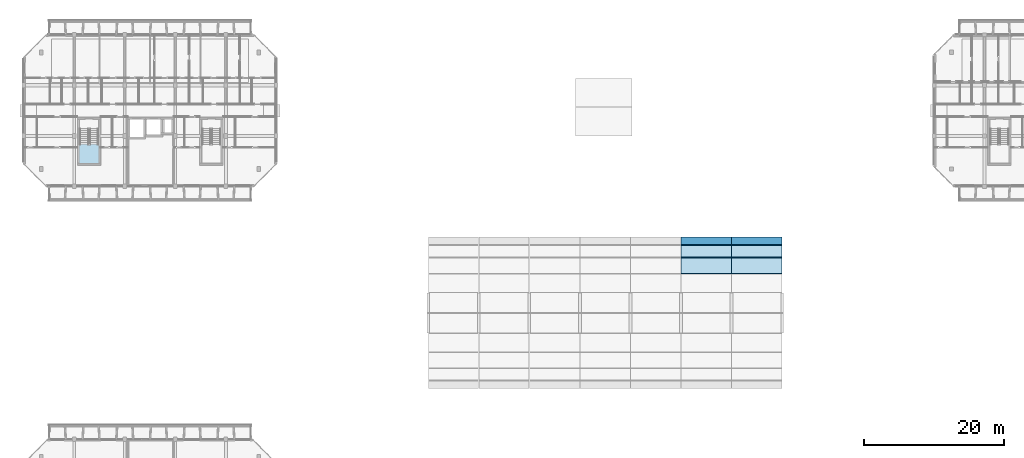
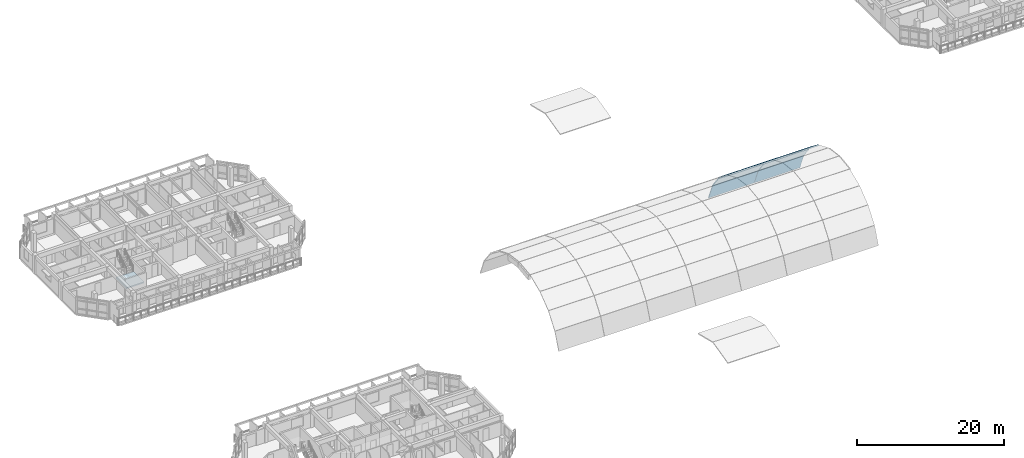
# One storey, part 15 of 51: 7 slabs, 3 elements without a shape of their own.
"""IFC4 building model written with IfcOpenShell, lengths in metres."""

from ifc_helpers import new_model, si_unit, direction, frame, origin, place, context, subcontext, project, spatial, polyline, outline, extrude, material, layer, layer_set, type_object, element, aggregate, save


model = new_model("IFC4")

# Units and contexts
model_context = context("Model", 3, precision=1e-05, world=origin(), true_north=direction((0.0, 1.0)))
body_context = subcontext(model_context, "Body", "Model", "MODEL_VIEW")
ifc_project = project(units=[si_unit("LENGTHUNIT", "METRE"), si_unit("AREAUNIT", "SQUARE_METRE"), si_unit("VOLUMEUNIT", "CUBIC_METRE"), si_unit("PLANEANGLEUNIT", "RADIAN"), si_unit("MASSUNIT", "GRAM", prefix="KILO")], contexts=[model_context])

# Site, building, storey
site_placement = place(None, origin())
site = spatial("IfcSite", under=ifc_project, at=site_placement, CompositionType="ELEMENT")
building_placement = place(site_placement, origin())
building = spatial("IfcBuilding", under=site, at=building_placement, Name="Ochrevale Crest", CompositionType="ELEMENT")
storey_placement = place(building_placement, frame((0.0, 0.0, 11.85009765625)))
storey = spatial("IfcBuildingStorey", under=building, at=storey_placement, Name="L03", CompositionType="ELEMENT", Elevation=11.85009765625)

# Stair, slab
ifc_material = material(Name="Precast concrete C40/50", Category="concrete")
stair_type = type_object("IfcStairType", Name="ST-CORE-DOG", PredefinedType="HALF_TURN_STAIR", material=ifc_material)
stair_placement = place(storey_placement, origin())
stair = element("IfcStair", 1, at=stair_placement, inside=storey, type_object=stair_type, Name="L03 Block B Fire Stair 1", PredefinedType="HALF_TURN_STAIR")
ifc_layer_1 = layer(ifc_material, 0.199951171875)
ifc_layer_set_1 = layer_set([ifc_layer_1], Name="Precast concrete C40/50")
slab_type_1 = type_object("IfcSlabType", Name="SLB-ST-LAND", PredefinedType="LANDING", material=ifc_layer_set_1)
slab_1_placement = place(storey_placement, frame((0.0, 0.0, 1.375)))
slab_1 = element("IfcSlab", 2, at=slab_1_placement, type_object=slab_type_1, Name="ST-B1 landing 1", PredefinedType="LANDING", context=body_context, shape_type="SweptSolid", body=[
    extrude(outline(polyline([(7.919921875, 78.06494140625), (7.919921875, 75.195068359375), (10.72998046875, 75.195068359375), (10.72998046875, 78.06494140625), (7.919921875, 78.06494140625)])), origin(), (0.0, 0.0, 1.0), 0.199951171875),
])
aggregate(stair, [slab_1])

# Roof, slabs
ifc_layer_2 = layer(ifc_material, 0.135009765625)
ifc_layer_set_2 = layer_set([ifc_layer_2], Name="Precast concrete C40/50")
roof_type = type_object("IfcRoofType", Name="ROOF-BARREL-HALL", PredefinedType="BARREL_ROOF", material=ifc_layer_set_2)
roof_1_placement = place(storey_placement, origin())
roof_1 = element("IfcRoof", 3, at=roof_1_placement, inside=storey, type_object=roof_type, Name="Community hall barrel vault bay V6", PredefinedType="BARREL_ROOF")
ifc_layer_3 = layer(ifc_material, 0.135009765625)
ifc_layer_set_3 = layer_set([ifc_layer_3], Name="Precast concrete C40/50")
slab_type_2 = type_object("IfcSlabType", Name="SLB-VAULT-135", PredefinedType="ROOF", material=ifc_layer_set_3)
slab_2_placement = place(storey_placement, frame((93.610107421875, 59.631103515625, -0.179443359375), z_axis=(0.0, 0.613940613515, 0.789352217376), x_axis=(1.0, 0.0, 0.0)))
slab_2 = element("IfcSlab", 4, at=slab_2_placement, type_object=slab_type_2, Name="Community hall barrel-vault precast roof facet B6-S08", PredefinedType="ROOF", context=body_context, shape_type="SweptSolid", body=[
    extrude(outline(polyline([(0.0, 0.0), (7.179931640625, 0.0), (7.179931640625, 2.914462085153314), (0.0, 2.914462085153314), (0.0, 0.0)])), origin(), (0.0, 0.0, -1.0), 0.135009765625),
])
slab_3_placement = place(storey_placement, frame((93.610107421875, 61.947998046875, -1.9853515625), z_axis=(0.0, 0.798912919198, 0.601446712135), x_axis=(1.0, 0.0, 0.0)))
slab_3 = element("IfcSlab", 5, at=slab_3_placement, type_object=slab_type_2, Name="Community hall barrel-vault precast roof facet B6-S09", PredefinedType="ROOF", context=body_context, shape_type="SweptSolid", body=[
    extrude(outline(polyline([(0.0, 0.0), (7.179931640625, 0.0), (7.179931640625, 2.914116099583117), (0.0, 2.914116099583117), (0.0, 0.0)])), origin(), (0.0, 0.0, -1.0), 0.135009765625),
])
slab_4_placement = place(storey_placement, frame((93.610107421875, 63.712158203125, -4.333740234375), z_axis=(0.0, 0.928326408732, 0.371766161519), x_axis=(1.0, 0.0, 0.0)))
slab_4 = element("IfcSlab", 6, at=slab_4_placement, type_object=slab_type_2, Name="Community hall barrel-vault precast roof facet B6-S10", PredefinedType="ROOF", context=body_context, shape_type="SweptSolid", body=[
    extrude(outline(polyline([(0.0, 0.0), (7.179931640625, 0.0), (7.179931640625, 2.9144559292945313), (0.0, 2.9144559292945313), (0.0, 0.0)])), origin(), (0.0, 0.0, -1.0), 0.135009765625),
])
aggregate(roof_1, [slab_2, slab_3, slab_4])

roof_2_placement = place(storey_placement, origin())
roof_2 = element("IfcRoof", 7, at=roof_2_placement, inside=storey, type_object=roof_type, Name="Community hall barrel vault bay V7", PredefinedType="BARREL_ROOF")
slab_5_placement = place(storey_placement, frame((100.81005859375, 59.631103515625, -0.179443359375), z_axis=(0.0, 0.613940613515, 0.789352217376), x_axis=(1.0, 0.0, 0.0)))
slab_5 = element("IfcSlab", 8, at=slab_5_placement, type_object=slab_type_2, Name="Community hall barrel-vault precast roof facet B7-S08", PredefinedType="ROOF", context=body_context, shape_type="SweptSolid", body=[
    extrude(outline(polyline([(0.0, 0.0), (7.179931640625, 0.0), (7.179931640625, 2.914462085153314), (0.0, 2.914462085153314), (0.0, 0.0)])), origin(), (0.0, 0.0, -1.0), 0.135009765625),
])
slab_6_placement = place(storey_placement, frame((100.81005859375, 61.947998046875, -1.9853515625), z_axis=(0.0, 0.798912919198, 0.601446712135), x_axis=(1.0, 0.0, 0.0)))
slab_6 = element("IfcSlab", 9, at=slab_6_placement, type_object=slab_type_2, Name="Community hall barrel-vault precast roof facet B7-S09", PredefinedType="ROOF", context=body_context, shape_type="SweptSolid", body=[
    extrude(outline(polyline([(0.0, 0.0), (7.179931640625, 0.0), (7.179931640625, 2.914116099583117), (0.0, 2.914116099583117), (0.0, 0.0)])), origin(), (0.0, 0.0, -1.0), 0.135009765625),
])
slab_7_placement = place(storey_placement, frame((100.81005859375, 63.712158203125, -4.333740234375), z_axis=(0.0, 0.928326408732, 0.371766161519), x_axis=(1.0, 0.0, 0.0)))
slab_7 = element("IfcSlab", 10, at=slab_7_placement, type_object=slab_type_2, Name="Community hall barrel-vault precast roof facet B7-S10", PredefinedType="ROOF", context=body_context, shape_type="SweptSolid", body=[
    extrude(outline(polyline([(0.0, 0.0), (7.179931640625, 0.0), (7.179931640625, 2.9144559292945313), (0.0, 2.9144559292945313), (0.0, 0.0)])), origin(), (0.0, 0.0, -1.0), 0.135009765625),
])
aggregate(roof_2, [slab_5, slab_6, slab_7])

save(model, "model.ifc")
